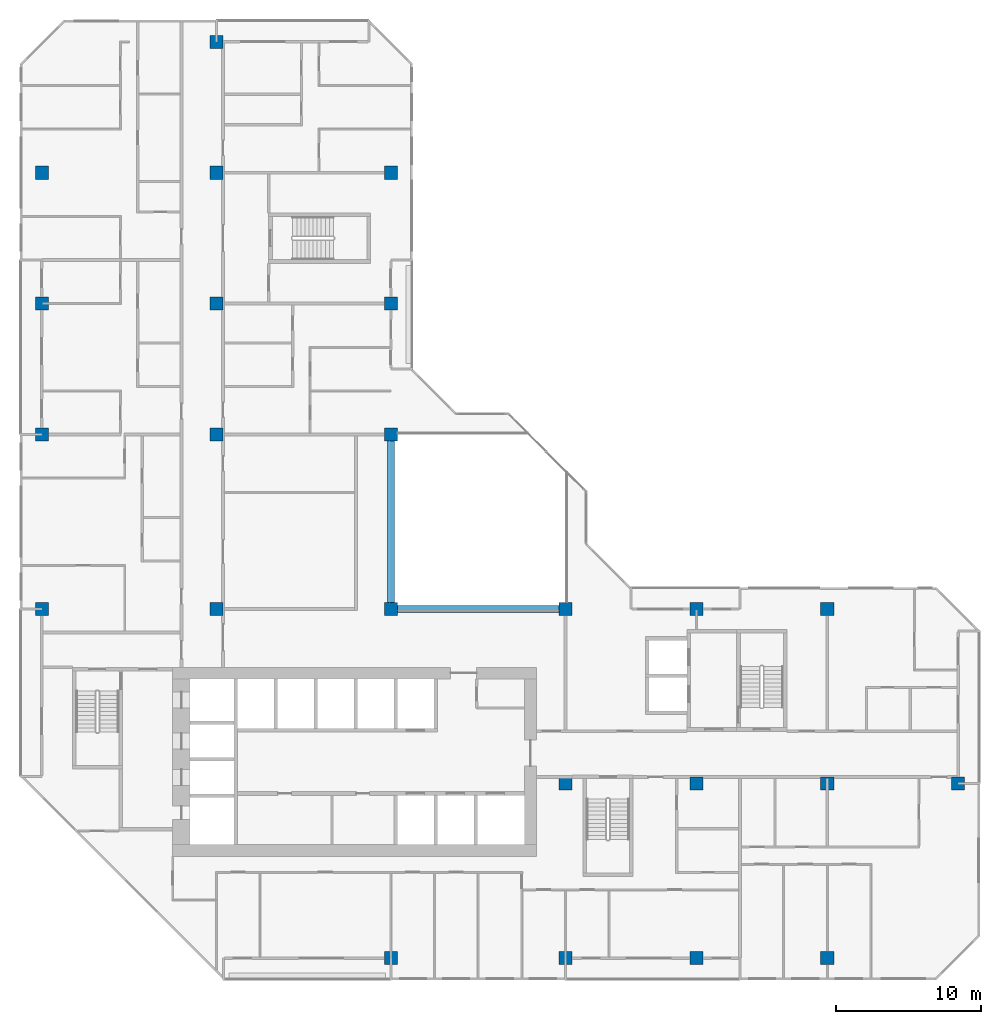
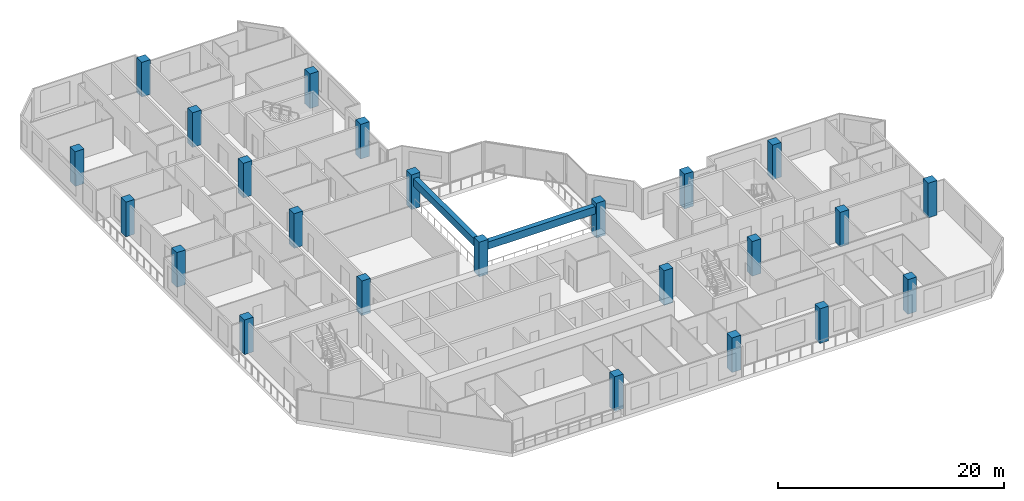
# One storey, part 1 of 15: 24 columns, 2 beams.
"""IFC4 building model written with IfcOpenShell, lengths in metres."""

from ifc_helpers import new_model, si_unit, direction, frame, origin, origin_2d, place, context, subcontext, project, spatial, rectangle, extrude, material, material_profile, profile_set, type_object, element, save


model = new_model("IFC4")

# Units and contexts
model_context = context("Model", 3, precision=1e-05, world=origin(), true_north=direction((0.0, 1.0)))
body_context = subcontext(model_context, "Body", "Model", "MODEL_VIEW")
ifc_project = project(units=[si_unit("LENGTHUNIT", "METRE"), si_unit("AREAUNIT", "SQUARE_METRE"), si_unit("VOLUMEUNIT", "CUBIC_METRE"), si_unit("PLANEANGLEUNIT", "RADIAN"), si_unit("MASSUNIT", "GRAM", prefix="KILO")], contexts=[model_context])

# Site, building, storey
site_placement = place(None, origin())
site = spatial("IfcSite", under=ifc_project, at=site_placement, CompositionType="ELEMENT")
building_placement = place(site_placement, origin())
building = spatial("IfcBuilding", under=site, at=building_placement, Name="Chenar Terraces", CompositionType="ELEMENT")
storey_placement = place(building_placement, frame((0.0, 0.0, 202.39990234375)))
storey = spatial("IfcBuildingStorey", under=building, at=storey_placement, Name="L47", CompositionType="ELEMENT", Elevation=202.39990234375)

# Columns
ifc_material_1 = material(Name="Concrete C60/75", Category="concrete")
ifc_material_profile_1 = material_profile(ifc_material_1, rectangle(XDim=0.89990234375, YDim=0.89990234375, at=origin_2d()), Name="C 900 x 900")
ifc_profile_set_1 = profile_set([ifc_material_profile_1], Name="Concrete C60/75")
column_type = type_object("IfcColumnType", Name="Column C 900 x 900 Concrete C60/75", PredefinedType="COLUMN", material=ifc_profile_set_1)
column_1_placement = place(storey_placement, frame((0.0, 24.0, 0.0), z_axis=(0.0, 0.0, 1.0), x_axis=(1.0, 0.0, 0.0)))
element("IfcColumn", 1, at=column_1_placement, inside=storey, type_object=column_type, Name="Column 5/G L47", PredefinedType="COLUMN", context=body_context, shape_type="SweptSolid", body=[
    extrude(rectangle(XDim=0.89990234375, YDim=0.89990234375, at=origin_2d()), origin(), (0.0, 0.0, 1.0), 3.75),
])
column_2_placement = place(storey_placement, frame((0.0, 36.0, 0.0), z_axis=(0.0, 0.0, 1.0), x_axis=(1.0, 0.0, 0.0)))
element("IfcColumn", 2, at=column_2_placement, inside=storey, type_object=column_type, Name="Column 5/H L47", PredefinedType="COLUMN", context=body_context, shape_type="SweptSolid", body=[
    extrude(rectangle(XDim=0.89990234375, YDim=0.89990234375, at=origin_2d()), origin(), (0.0, 0.0, 1.0), 3.75),
])
for number, where, z_axis, x_axis, name in (
    (3, (0.0, 45.0, 0.0), (0.0, 0.0, 1.0), (1.0, 0.0, 0.0), "Column 5/J L47"),
    (4, (0.0, 54.0, 0.0), (0.0, 0.0, 1.0), (1.0, 0.0, 0.0), "Column 5/K L47"),
    (5, (12.0, 24.0, 0.0), (0.0, 0.0, 1.0), (1.0, 0.0, 0.0), "Column 6/G L47"),
    (6, (12.0, 36.0, 0.0), (0.0, 0.0, 1.0), (1.0, 0.0, 0.0), "Column 6/H L47"),
    (7, (12.0, 45.0, 0.0), (0.0, 0.0, 1.0), (1.0, 0.0, 0.0), "Column 6/J L47"),
    (8, (12.0, 54.0, 0.0), (0.0, 0.0, 1.0), (1.0, 0.0, 0.0), "Column 6/K L47"),
    (9, (12.0, 63.0, 0.0), (0.0, 0.0, 1.0), (1.0, 0.0, 0.0), "Column 6/L L47"),
    (10, (24.0, 0.0, 0.0), (0.0, 0.0, 1.0), (1.0, 0.0, 0.0), "Column 7/E L47"),
    (11, (24.0, 24.0, 0.0), (0.0, 0.0, 1.0), (1.0, 0.0, 0.0), "Column 7/G L47"),
    (12, (24.0, 36.0, 0.0), (0.0, 0.0, 1.0), (1.0, 0.0, 0.0), "Column 7/H L47"),
    (13, (24.0, 45.0, 0.0), (0.0, 0.0, 1.0), (1.0, 0.0, 0.0), "Column 7/J L47"),
    (14, (24.0, 54.0, 0.0), (0.0, 0.0, 1.0), (1.0, 0.0, 0.0), "Column 7/K L47"),
    (15, (36.0, 0.0, 0.0), (0.0, 0.0, 1.0), (1.0, 0.0, 0.0), "Column 8/E L47"),
    (16, (36.0, 12.0, 0.0), (0.0, 0.0, 1.0), (1.0, 0.0, 0.0), "Column 8/F L47"),
    (17, (36.0, 24.0, 0.0), (0.0, 0.0, 1.0), (1.0, 0.0, 0.0), "Column 8/G L47"),
    (18, (45.0, 0.0, 0.0), (0.0, 0.0, 1.0), (1.0, 0.0, 0.0), "Column 9/E L47"),
    (19, (45.0, 12.0, 0.0), (0.0, 0.0, 1.0), (1.0, 0.0, 0.0), "Column 9/F L47"),
    (20, (45.0, 24.0, 0.0), (0.0, 0.0, 1.0), (1.0, 0.0, 0.0), "Column 9/G L47"),
    (21, (54.0, 0.0, 0.0), (0.0, 0.0, 1.0), (1.0, 0.0, 0.0), "Column 10/E L47"),
    (22, (54.0, 12.0, 0.0), (0.0, 0.0, 1.0), (1.0, 0.0, 0.0), "Column 10/F L47"),
    (23, (54.0, 24.0, 0.0), (0.0, 0.0, 1.0), (1.0, 0.0, 0.0), "Column 10/G L47"),
    (24, (63.0, 12.0, 0.0), (0.0, 0.0, 1.0), (1.0, 0.0, 0.0), "Column 11/F L47"),
):
    element("IfcColumn", number, at=place(storey_placement, frame(where, z_axis=z_axis, x_axis=x_axis)), inside=storey, type_object=column_type, Name=name, PredefinedType="COLUMN", context=body_context, shape_type="SweptSolid", body=[
        extrude(rectangle(XDim=0.89990234375, YDim=0.89990234375, at=origin_2d()), origin(), (0.0, 0.0, 1.0), 3.75),
    ])

# Beams
ifc_material_2 = material(Name="Concrete C40/50", Category="concrete")
ifc_material_profile_2 = material_profile(ifc_material_2, rectangle(XDim=0.5, YDim=0.800048828125, at=origin_2d()), Name="RC 500 x 800")
ifc_profile_set_2 = profile_set([ifc_material_profile_2], Name="Concrete C40/50")
beam_type = type_object("IfcBeamType", Name="Atrium edge beam 500 x 800 Concrete C40/50", PredefinedType="BEAM", material=ifc_profile_set_2)
for number, where, z_axis, x_axis, name in (
    (25, (24.449951171875, 24.0, 2.900146484375), (1.0, 0.0, 0.0), (0.0, 1.0, 0.0), "Atrium edge beam L48 1"),
    (26, (24.0, 35.550048828125, 2.900146484375), (0.0, -1.0, 0.0), (1.0, 0.0, 0.0), "Atrium edge beam L48 4"),
):
    element("IfcBeam", number, at=place(storey_placement, frame(where, z_axis=z_axis, x_axis=x_axis)), inside=storey, type_object=beam_type, Name=name, PredefinedType="BEAM", context=body_context, shape_type="SweptSolid", body=[
        extrude(rectangle(XDim=0.5, YDim=0.800048828125, at=origin_2d()), origin(), (0.0, 0.0, 1.0), 11.10009765625),
    ])

save(model, "model.ifc")
